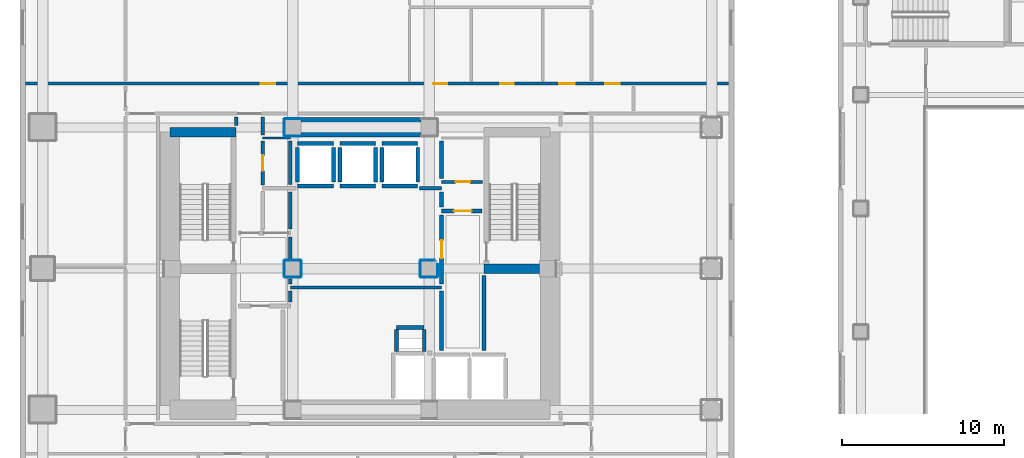
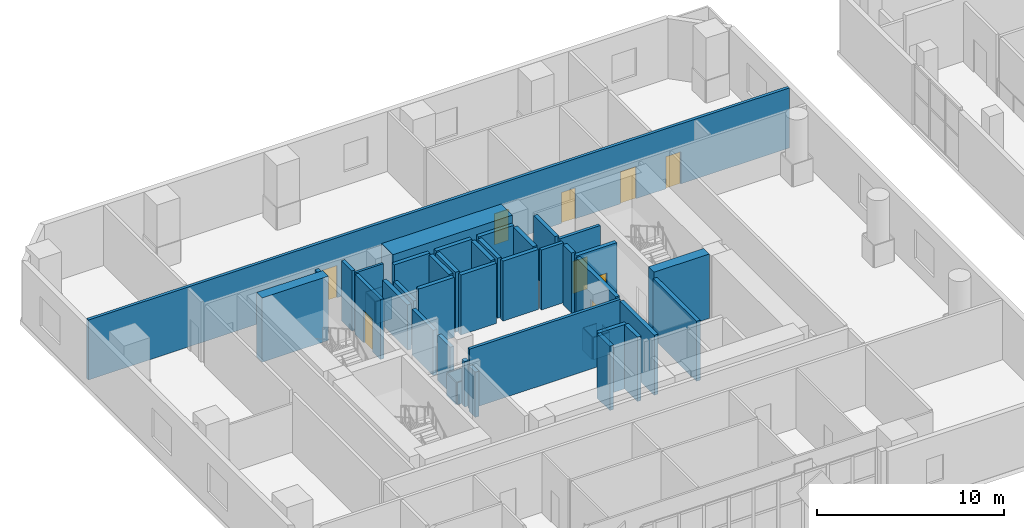
# One storey, part 13 of 20: 48 walls, 9 doors, 9 openings.
"""IFC4 building model written with IfcOpenShell, lengths in metres."""

from ifc_helpers import new_model, si_unit, direction, frame, frame_2d, origin, place, context, subcontext, project, spatial, rectangle, extrude, material, layer, layer_set, type_object, element, fill, save


model = new_model("IFC4")

# Units and contexts
model_context = context("Model", 3, precision=1e-05, world=origin(), true_north=direction((0.0, 1.0)))
body_context = subcontext(model_context, "Body", "Model", "MODEL_VIEW")
ifc_project = project(units=[si_unit("LENGTHUNIT", "METRE"), si_unit("AREAUNIT", "SQUARE_METRE"), si_unit("VOLUMEUNIT", "CUBIC_METRE"), si_unit("PLANEANGLEUNIT", "RADIAN"), si_unit("MASSUNIT", "GRAM", prefix="KILO")], contexts=[model_context])

# Site, building, storey
site_placement = place(None, origin())
site = spatial("IfcSite", under=ifc_project, at=site_placement, CompositionType="ELEMENT")
building_placement = place(site_placement, origin())
building = spatial("IfcBuilding", under=site, at=building_placement, Name="Solanera Arch Residences", CompositionType="ELEMENT")
storey_placement = place(building_placement, frame((0.0, 0.0, 9.39990234375)))
storey = spatial("IfcBuildingStorey", under=building, at=storey_placement, Name="L02", CompositionType="ELEMENT", Elevation=9.39990234375)

# Walls
ifc_material_1 = material(Name="Fire-Rated Gypsum Stud Partition", Category="gypsum")
ifc_layer_1 = layer(ifc_material_1, 0.06005859375)
ifc_layer_set_1 = layer_set([ifc_layer_1], Name="Fire-Rated Gypsum Stud Partition")
wall_type_1 = type_object("IfcWallType", Name="Column Acoustic Furring Wall 60", PredefinedType="PARTITIONING", material=ifc_layer_set_1)
for number, where, z_axis, x_axis, name in (
    (1, (20.300048828125, 38.867919921875, 0.0), (0.0, 0.0, 1.0), (1.0, 0.0, 0.0), "L02 Column Furring 3S"),
    (2, (20.300048828125, 39.931884765625, 0.0), (0.0, 0.0, 1.0), (1.0, 0.0, 0.0), "L02 Column Furring 3N"),
):
    element("IfcWall", number, at=place(storey_placement, frame(where, z_axis=z_axis, x_axis=x_axis)), inside=storey, type_object=wall_type_1, Name=name, PredefinedType="PARTITIONING", context=body_context, shape_type="SweptSolid", body=[
        extrude(rectangle(XDim=0.989990234375, YDim=0.06005859375, at=frame_2d((0.4951171875, 0.0))), origin(), (0.0, 0.0, 1.0), 1.4501953125),
    ])
for number, where, z_axis, x_axis, name in (
    (3, (20.26806640625, 38.89990234375, 0.0), (0.0, 0.0, 1.0), (0.0, 1.0, 0.0), "L02 Column Furring 3W"),
    (4, (20.300048828125, 30.16796875, 0.0), (0.0, 0.0, 1.0), (1.0, 0.0, 0.0), "L02 Column Furring 7S"),
    (5, (20.300048828125, 31.23193359375, 0.0), (0.0, 0.0, 1.0), (1.0, 0.0, 0.0), "L02 Column Furring 7N"),
    (6, (20.26806640625, 30.199951171875, 0.0), (0.0, 0.0, 1.0), (0.0, 1.0, 0.0), "L02 Column Furring 7W"),
    (7, (21.33203125, 30.199951171875, 0.0), (0.0, 0.0, 1.0), (0.0, 1.0, 0.0), "L02 Column Furring 7E"),
    (8, (28.699951171875, 30.16796875, 0.0), (0.0, 0.0, 1.0), (1.0, 0.0, 0.0), "L02 Column Furring 8S"),
):
    element("IfcWall", number, at=place(storey_placement, frame(where, z_axis=z_axis, x_axis=x_axis)), inside=storey, type_object=wall_type_1, Name=name, PredefinedType="PARTITIONING", context=body_context, shape_type="SweptSolid", body=[
        extrude(rectangle(XDim=1.0, YDim=0.06005859375, at=frame_2d((0.5, 0.0))), origin(), (0.0, 0.0, 1.0), 1.4501953125),
    ])
wall_1_placement = place(storey_placement, frame((28.699951171875, 31.23193359375, 0.0), z_axis=(0.0, 0.0, 1.0), x_axis=(1.0, 0.0, 0.0)))
element("IfcWall", 9, at=wall_1_placement, inside=storey, type_object=wall_type_1, Name="L02 Column Furring 8N", PredefinedType="PARTITIONING", context=body_context, shape_type="SweptSolid", body=[
    extrude(rectangle(XDim=0.841064453125, YDim=0.06005859375, at=frame_2d((0.42041015625, 0.0))), origin(), (0.0, 0.0, 1.0), 1.4501953125),
])
wall_2_placement = place(storey_placement, frame((28.66796875, 30.199951171875, 0.0), z_axis=(0.0, 0.0, 1.0), x_axis=(0.0, 1.0, 0.0)))
element("IfcWall", 10, at=wall_2_placement, inside=storey, type_object=wall_type_1, Name="L02 Column Furring 8W", PredefinedType="PARTITIONING", context=body_context, shape_type="SweptSolid", body=[
    extrude(rectangle(XDim=1.0, YDim=0.06005859375, at=frame_2d((0.5, 0.0))), origin(), (0.0, 0.0, 1.0), 1.4501953125),
])
wall_3_placement = place(storey_placement, frame((29.73193359375, 30.199951171875, 0.0), z_axis=(0.0, 0.0, 1.0), x_axis=(0.0, 1.0, 0.0)))
element("IfcWall", 11, at=wall_3_placement, inside=storey, type_object=wall_type_1, Name="L02 Column Furring 8E", PredefinedType="PARTITIONING", context=body_context, shape_type="SweptSolid", body=[
    extrude(rectangle(XDim=0.77197265625, YDim=0.06005859375, at=frame_2d((0.385986328125, 0.0))), origin(), (0.0, 0.0, 1.0), 1.4501953125),
])
ifc_material_2 = material(Name="Concrete C55/67 (f'c = 60 MPa)", Category="concrete")
ifc_layer_2 = layer(ifc_material_2, 1.199951171875)
ifc_layer_set_2 = layer_set([ifc_layer_2], Name="Concrete C55/67 (f'c = 60 MPa)")
wall_type_2 = type_object("IfcWallType", Name="Core Shear Wall CW-1200", PredefinedType="SHEAR", material=ifc_layer_set_2)
wall_4_placement = place(storey_placement, frame((21.304931640625, 39.39990234375, 0.0), z_axis=(0.0, 0.0, 1.0), x_axis=(1.0, 0.0, 0.0)))
element("IfcWall", 12, at=wall_4_placement, inside=storey, type_object=wall_type_2, Name="L02 Central North Core Shear Wall", PredefinedType="SHEAR", context=body_context, shape_type="SweptSolid", body=[
    extrude(rectangle(XDim=7.39013671875, YDim=1.199951171875, at=frame_2d((3.695068359375, 0.0))), origin(), (0.0, 0.0, 1.0), 4.2001953125),
])
ifc_material_3 = material(Name="Concrete C40/50 (f'c = 45 MPa)", Category="concrete")
ifc_layer_3 = layer(ifc_material_3, 0.60009765625)
ifc_layer_set_3 = layer_set([ifc_layer_3], Name="Concrete C40/50 (f'c = 45 MPa)")
wall_type_3 = type_object("IfcWallType", Name="Core Shear Wall CW-600", PredefinedType="SHEAR", material=ifc_layer_set_3)
wall_5_placement = place(storey_placement, frame((13.239990234375, 39.10009765625, 0.0), z_axis=(0.0, 0.0, 1.0), x_axis=(1.0, 0.0, 0.0)))
element("IfcWall", 13, at=wall_5_placement, inside=storey, type_object=wall_type_3, Name="L02 North-West Core Shear Wall", PredefinedType="SHEAR", context=body_context, shape_type="SweptSolid", body=[
    extrude(rectangle(XDim=4.080078125, YDim=0.60009765625, at=frame_2d((2.0400390625, 0.0))), origin(), (0.0, 0.0, 1.0), 4.2001953125),
])
wall_6_placement = place(storey_placement, frame((32.580078125, 30.699951171875, 0.0), z_axis=(0.0, 0.0, 1.0), x_axis=(1.0, 0.0, 0.0)))
element("IfcWall", 14, at=wall_6_placement, inside=storey, type_object=wall_type_3, Name="L02 East Stair Far-Landing Shear Wall", PredefinedType="SHEAR", context=body_context, shape_type="SweptSolid", body=[
    extrude(rectangle(XDim=3.4150390625, YDim=0.60009765625, at=frame_2d((1.70751953125, 0.0))), origin(), (0.0, 0.0, 1.0), 4.2001953125),
])
ifc_material_4 = material(Name="Autoclaved Aerated Concrete Blockwork", Category="masonry")
ifc_layer_4 = layer(ifc_material_4, 0.179931640625)
ifc_layer_set_4 = layer_set([ifc_layer_4], Name="Autoclaved Aerated Concrete Blockwork")
wall_type_4 = type_object("IfcWallType", Name="Corridor Fire Partition 180", PredefinedType="PARTITIONING", material=ifc_layer_set_4)
wall_7_placement = place(storey_placement, frame((20.64990234375, 29.550048828125, 0.0), z_axis=(0.0, 0.0, 1.0), x_axis=(1.0, 0.0, 0.0)))
element("IfcWall", 15, at=wall_7_placement, inside=storey, type_object=wall_type_4, Name="L02 Interior Partition H11", PredefinedType="PARTITIONING", context=body_context, shape_type="SweptSolid", body=[
    extrude(rectangle(XDim=9.3251953125, YDim=0.179931640625, at=frame_2d((4.66259765625, 0.0))), origin(), (0.0, 0.0, 1.0), 3.920166015625),
])

# Wall, opening, door
wall_8_placement = place(storey_placement, frame((29.97509765625, 36.050048828125, 0.0), z_axis=(0.0, 0.0, 1.0), x_axis=(1.0, 0.0, 0.0)))
wall_8 = element("IfcWall", 16, at=wall_8_placement, inside=storey, type_object=wall_type_4, Name="L02 Interior Partition H12", PredefinedType="PARTITIONING", context=body_context, shape_type="SweptSolid", body=[
    extrude(rectangle(XDim=2.5048828125, YDim=0.179931640625, at=frame_2d((1.25244140625, 0.0))), origin(), (0.0, 0.0, 1.0), 3.920166015625),
])
opening_1_placement = place(wall_8_placement, frame((0.85205078125, 0.0, 0.0)))
opening_1 = element("IfcOpeningElement", 17, at=opening_1_placement, cuts=wall_8, Name="Opening DI-02", PredefinedType="OPENING", context=body_context, shape_type="SweptSolid", body=[
    extrude(rectangle(XDim=0.89990234375, YDim=2.10009765625, at=frame_2d((0.449951171875, 1.050048828125))), frame((0.0, 0.10009765625, 0.0), z_axis=(0.0, -1.0, 0.0), x_axis=(1.0, 0.0, 0.0)), (0.0, 0.0, 1.0), 0.1999),
])
ifc_material_5 = material(Name="Fire-Rated Architectural Hardwood", Category="wood")
door_type_1 = type_object("IfcDoorType", Name="Suite Room Swing Door DI-02", OperationType="NOTDEFINED", PredefinedType="DOOR", material=ifc_material_5)
door_1_placement = place(opening_1_placement, origin())
door_1 = element("IfcDoor", 18, at=door_1_placement, inside=storey, type_object=door_type_1, Name="DR-L02-IN-024", OperationType="SINGLE_SWING_LEFT", OverallHeight=2.10009765625, OverallWidth=0.89990234375, PredefinedType="DOOR", context=body_context, shape_type="SweptSolid", body=[
    extrude(rectangle(XDim=0.89990234375, YDim=2.10009765625, at=frame_2d((0.449951171875, 1.050048828125))), frame((0.0, 0.02490234375, 0.0), z_axis=(0.0, -1.0, 0.0), x_axis=(1.0, 0.0, 0.0)), (0.0, 0.0, 1.0), 0.050048828125),
])
fill(opening_1, door_1)

# Wall, openings, doors
wall_9_placement = place(storey_placement, frame((4.35205078125, 42.10009765625, 0.0), z_axis=(0.0, 0.0, 1.0), x_axis=(1.0, 0.0, 0.0)))
wall_9 = element("IfcWall", 19, at=wall_9_placement, inside=storey, type_object=wall_type_4, Name="L02 Interior Partition H15", PredefinedType="PARTITIONING", context=body_context, shape_type="SweptSolid", body=[
    extrude(rectangle(XDim=43.2958984375, YDim=0.179931640625, at=frame_2d((21.64794921875, 0.0))), origin(), (0.0, 0.0, 1.0), 3.920166015625),
])
opening_2_placement = place(wall_9_placement, frame((14.471923828125, 0.0, 0.0)))
opening_2 = element("IfcOpeningElement", 20, at=opening_2_placement, cuts=wall_9, Name="Opening DI-02", PredefinedType="OPENING", context=body_context, shape_type="SweptSolid", body=[
    extrude(rectangle(XDim=0.89990234375, YDim=2.10009765625, at=frame_2d((0.449951171875, 1.050048828125))), frame((0.0, 0.10009765625, 0.0), z_axis=(0.0, -1.0, 0.0), x_axis=(1.0, 0.0, 0.0)), (0.0, 0.0, 1.0), 0.1999),
])
opening_3_placement = place(wall_9_placement, frame((25.117919921875, 0.0, 0.0)))
opening_3 = element("IfcOpeningElement", 21, at=opening_3_placement, cuts=wall_9, Name="Opening DI-05", PredefinedType="OPENING", context=body_context, shape_type="SweptSolid", body=[
    extrude(rectangle(XDim=0.860107421875, YDim=2.02001953125, at=frame_2d((0.43017578125, 1.010009765625))), frame((0.0, 0.10009765625, 0.0), z_axis=(0.0, -1.0, 0.0), x_axis=(1.0, 0.0, 0.0)), (0.0, 0.0, 1.0), 0.1999),
])
opening_4_placement = place(wall_9_placement, frame((29.218017578125, 0.0, 0.0)))
opening_4 = element("IfcOpeningElement", 22, at=opening_4_placement, cuts=wall_9, Name="Opening DI-05", PredefinedType="OPENING", context=body_context, shape_type="SweptSolid", body=[
    extrude(rectangle(XDim=0.860107421875, YDim=2.02001953125, at=frame_2d((0.43017578125, 1.010009765625))), frame((0.0, 0.10009765625, 0.0), z_axis=(0.0, -1.0, 0.0), x_axis=(1.0, 0.0, 0.0)), (0.0, 0.0, 1.0), 0.1999),
])
opening_5_placement = place(wall_9_placement, frame((32.873046875, 0.0, 0.0)))
opening_5 = element("IfcOpeningElement", 23, at=opening_5_placement, cuts=wall_9, Name="Opening DI-04", PredefinedType="OPENING", context=body_context, shape_type="SweptSolid", body=[
    extrude(rectangle(XDim=0.949951171875, YDim=2.10009765625, at=frame_2d((0.47509765625, 1.050048828125))), frame((0.0, 0.10009765625, 0.0), z_axis=(0.0, -1.0, 0.0), x_axis=(1.0, 0.0, 0.0)), (0.0, 0.0, 1.0), 0.1999),
])
opening_6_placement = place(wall_9_placement, frame((35.68798828125, 0.0, 0.0)))
opening_6 = element("IfcOpeningElement", 24, at=opening_6_placement, cuts=wall_9, Name="Opening DI-02", PredefinedType="OPENING", context=body_context, shape_type="SweptSolid", body=[
    extrude(rectangle(XDim=0.89990234375, YDim=2.10009765625, at=frame_2d((0.449951171875, 1.050048828125))), frame((0.0, 0.10009765625, 0.0), z_axis=(0.0, -1.0, 0.0), x_axis=(1.0, 0.0, 0.0)), (0.0, 0.0, 1.0), 0.1999),
])
ifc_material_6 = material(Name="Fire-Rated Architectural Hardwood", Category="wood")
door_type_2 = type_object("IfcDoorType", Name="Accessible Restroom Door DI-04", OperationType="NOTDEFINED", PredefinedType="DOOR", material=ifc_material_6)
door_2_placement = place(opening_5_placement, origin())
door_2 = element("IfcDoor", 25, at=door_2_placement, inside=storey, type_object=door_type_2, Name="DR-L02-IN-041", OperationType="SINGLE_SWING_RIGHT", OverallHeight=2.10009765625, OverallWidth=0.949951171875, PredefinedType="DOOR", context=body_context, shape_type="SweptSolid", body=[
    extrude(rectangle(XDim=0.949951171875, YDim=2.10009765625, at=frame_2d((0.47509765625, 1.050048828125))), frame((0.0, 0.02490234375, 0.0), z_axis=(0.0, -1.0, 0.0), x_axis=(1.0, 0.0, 0.0)), (0.0, 0.0, 1.0), 0.050048828125),
])
fill(opening_5, door_2)
ifc_material_7 = material(Name="Fire-Rated Architectural Hardwood", Category="wood")
door_type_3 = type_object("IfcDoorType", Name="Bathroom Swing Door DI-05", OperationType="NOTDEFINED", PredefinedType="DOOR", material=ifc_material_7)
door_3_placement = place(opening_3_placement, origin())
door_3 = element("IfcDoor", 26, at=door_3_placement, inside=storey, type_object=door_type_3, Name="DR-L02-IN-039", OperationType="SINGLE_SWING_RIGHT", OverallHeight=2.02001953125, OverallWidth=0.860107421875, PredefinedType="DOOR", context=body_context, shape_type="SweptSolid", body=[
    extrude(rectangle(XDim=0.860107421875, YDim=2.02001953125, at=frame_2d((0.43017578125, 1.010009765625))), frame((0.0, 0.02490234375, 0.0), z_axis=(0.0, -1.0, 0.0), x_axis=(1.0, 0.0, 0.0)), (0.0, 0.0, 1.0), 0.050048828125),
])
fill(opening_3, door_3)
door_4_placement = place(opening_4_placement, origin())
door_4 = element("IfcDoor", 27, at=door_4_placement, inside=storey, type_object=door_type_3, Name="DR-L02-IN-040", OperationType="SINGLE_SWING_LEFT", OverallHeight=2.02001953125, OverallWidth=0.860107421875, PredefinedType="DOOR", context=body_context, shape_type="SweptSolid", body=[
    extrude(rectangle(XDim=0.860107421875, YDim=2.02001953125, at=frame_2d((0.43017578125, 1.010009765625))), frame((0.0, 0.02490234375, 0.0), z_axis=(0.0, -1.0, 0.0), x_axis=(1.0, 0.0, 0.0)), (0.0, 0.0, 1.0), 0.050048828125),
])
fill(opening_4, door_4)
door_5_placement = place(opening_2_placement, origin())
door_5 = element("IfcDoor", 28, at=door_5_placement, inside=storey, type_object=door_type_1, Name="DR-L02-IN-028", OperationType="SINGLE_SWING_LEFT", OverallHeight=2.10009765625, OverallWidth=0.89990234375, PredefinedType="DOOR", context=body_context, shape_type="SweptSolid", body=[
    extrude(rectangle(XDim=0.89990234375, YDim=2.10009765625, at=frame_2d((0.449951171875, 1.050048828125))), frame((0.0, 0.02490234375, 0.0), z_axis=(0.0, -1.0, 0.0), x_axis=(1.0, 0.0, 0.0)), (0.0, 0.0, 1.0), 0.050048828125),
])
fill(opening_2, door_5)
door_6_placement = place(opening_6_placement, origin())
door_6 = element("IfcDoor", 29, at=door_6_placement, inside=storey, type_object=door_type_1, Name="DR-L02-IN-042", OperationType="SINGLE_SWING_LEFT", OverallHeight=2.10009765625, OverallWidth=0.89990234375, PredefinedType="DOOR", context=body_context, shape_type="SweptSolid", body=[
    extrude(rectangle(XDim=0.89990234375, YDim=2.10009765625, at=frame_2d((0.449951171875, 1.050048828125))), frame((0.0, 0.02490234375, 0.0), z_axis=(0.0, -1.0, 0.0), x_axis=(1.0, 0.0, 0.0)), (0.0, 0.0, 1.0), 0.050048828125),
])
fill(opening_6, door_6)

# Wall
ifc_material_8 = material(Name="Autoclaved Aerated Concrete Blockwork", Category="masonry")
ifc_layer_5 = layer(ifc_material_8, 0.199951171875)
ifc_layer_set_5 = layer_set([ifc_layer_5], Name="Autoclaved Aerated Concrete Blockwork")
wall_type_5 = type_object("IfcWallType", Name="Party Wall Acoustic 200", PredefinedType="PARTITIONING", material=ifc_layer_set_5)
wall_10_placement = place(storey_placement, frame((28.60400390625, 35.64990234375, 0.0), z_axis=(0.0, 0.0, 1.0), x_axis=(1.0, 0.0, 0.0)))
element("IfcWall", 30, at=wall_10_placement, inside=storey, type_object=wall_type_5, Name="L02 Interior Partition H6 2", PredefinedType="PARTITIONING", context=body_context, shape_type="SweptSolid", body=[
    extrude(rectangle(XDim=1.37109375, YDim=0.199951171875, at=frame_2d((0.685546875, 0.0))), origin(), (0.0, 0.0, 1.0), 3.920166015625),
])

# Wall, opening, door
wall_11_placement = place(storey_placement, frame((18.949951171875, 35.85791015625, 0.0), z_axis=(0.0, 0.0, 1.0), x_axis=(0.0, 1.0, 0.0)))
wall_11 = element("IfcWall", 31, at=wall_11_placement, inside=storey, type_object=wall_type_5, Name="L02 Interior Partition V6 2", PredefinedType="PARTITIONING", context=body_context, shape_type="SweptSolid", body=[
    extrude(rectangle(XDim=2.714111328125, YDim=0.199951171875, at=frame_2d((1.35693359375, 0.0))), origin(), (0.0, 0.0, 1.0), 3.920166015625),
])
opening_7_placement = place(wall_11_placement, frame((0.866943359375, 0.0, 0.0)))
opening_7 = element("IfcOpeningElement", 32, at=opening_7_placement, cuts=wall_11, Name="Opening DI-04", PredefinedType="OPENING", context=body_context, shape_type="SweptSolid", body=[
    extrude(rectangle(XDim=0.949951171875, YDim=2.10009765625, at=frame_2d((0.47509765625, 1.050048828125))), frame((0.0, 0.110107421875, 0.0), z_axis=(0.0, -1.0, 0.0), x_axis=(1.0, 0.0, 0.0)), (0.0, 0.0, 1.0), 0.22),
])
door_7_placement = place(opening_7_placement, origin())
door_7 = element("IfcDoor", 33, at=door_7_placement, inside=storey, type_object=door_type_2, Name="DR-L02-IN-025", OperationType="SINGLE_SWING_RIGHT", OverallHeight=2.10009765625, OverallWidth=0.949951171875, PredefinedType="DOOR", context=body_context, shape_type="SweptSolid", body=[
    extrude(rectangle(XDim=0.949951171875, YDim=2.10009765625, at=frame_2d((0.47509765625, 1.050048828125))), frame((0.0, 0.02490234375, 0.0), z_axis=(0.0, -1.0, 0.0), x_axis=(1.0, 0.0, 0.0)), (0.0, 0.0, 1.0), 0.050048828125),
])
fill(opening_7, door_7)

# Walls
wall_12_placement = place(storey_placement, frame((18.949951171875, 38.927978515625, 0.0), z_axis=(0.0, 0.0, 1.0), x_axis=(0.0, 1.0, 0.0)))
element("IfcWall", 34, at=wall_12_placement, inside=storey, type_object=wall_type_5, Name="L02 Interior Partition V6 3", PredefinedType="PARTITIONING", context=body_context, shape_type="SweptSolid", body=[
    extrude(rectangle(XDim=1.1240234375, YDim=0.199951171875, at=frame_2d((0.56201171875, 0.0))), origin(), (0.0, 0.0, 1.0), 3.920166015625),
])
ifc_material_9 = material(Name="Concrete C40/50 (f'c = 45 MPa)", Category="concrete")
ifc_layer_6 = layer(ifc_material_9, 0.239990234375)
ifc_layer_set_6 = layer_set([ifc_layer_6], Name="Concrete C40/50 (f'c = 45 MPa)")
wall_type_6 = type_object("IfcWallType", Name="Ramp Bearing Shear Wall RW-240", PredefinedType="SHEAR", material=ifc_layer_set_6)
wall_13_placement = place(storey_placement, frame((27.199951171875, 27.080078125, 0.0), z_axis=(0.0, 0.0, 1.0), x_axis=(1.0, 0.0, 0.0)))
element("IfcWall", 35, at=wall_13_placement, inside=storey, type_object=wall_type_6, Name="L02 Core MEP Riser North Shaft Wall", PredefinedType="SHEAR", context=body_context, shape_type="SweptSolid", body=[
    extrude(rectangle(XDim=1.699951171875, YDim=0.239990234375, at=frame_2d((0.85009765625, 0.0))), origin(), (0.0, 0.0, 1.0), 4.2001953125),
])
for number, where, z_axis, x_axis, name in (
    (36, (27.199951171875, 25.60009765625, 0.0), (0.0, 0.0, 1.0), (0.0, 1.0, 0.0), "L02 Core MEP Riser West Shaft Wall"),
    (37, (28.89990234375, 25.60009765625, 0.0), (0.0, 0.0, 1.0), (0.0, 1.0, 0.0), "L02 Core MEP Riser East Shaft Wall"),
):
    element("IfcWall", number, at=place(storey_placement, frame(where, z_axis=z_axis, x_axis=x_axis)), inside=storey, type_object=wall_type_6, Name=name, PredefinedType="SHEAR", context=body_context, shape_type="SweptSolid", body=[
        extrude(rectangle(XDim=1.35986328125, YDim=0.239990234375, at=frame_2d((0.679931640625, 0.0))), origin(), (0.0, 0.0, 1.0), 4.2001953125),
    ])
ifc_material_10 = material(Name="Autoclaved Aerated Concrete Blockwork", Category="masonry")
ifc_layer_7 = layer(ifc_material_10, 0.239990234375)
ifc_layer_set_7 = layer_set([ifc_layer_7], Name="Autoclaved Aerated Concrete Blockwork")
wall_type_7 = type_object("IfcWallType", Name="Shaft Wall Fire-Rated 240", PredefinedType="PARTITIONING", material=ifc_layer_set_7)
for number, where, z_axis, x_axis, name in (
    (38, (21.10009765625, 35.800048828125, 0.0), (0.0, 0.0, 1.0), (1.0, 0.0, 0.0), "L02 Lift PL-L1 Hoistway Wall S"),
    (39, (21.10009765625, 38.39990234375, 0.0), (0.0, 0.0, 1.0), (1.0, 0.0, 0.0), "L02 Lift PL-L1 Hoistway Wall N"),
):
    element("IfcWall", number, at=place(storey_placement, frame(where, z_axis=z_axis, x_axis=x_axis)), inside=storey, type_object=wall_type_7, Name=name, PredefinedType="PARTITIONING", context=body_context, shape_type="SweptSolid", body=[
        extrude(rectangle(XDim=2.199951171875, YDim=0.239990234375, at=frame_2d((1.10009765625, 0.0))), origin(), (0.0, 0.0, 1.0), 3.920166015625),
    ])
wall_14_placement = place(storey_placement, frame((21.10009765625, 36.048095703125, 0.0), z_axis=(0.0, 0.0, 1.0), x_axis=(0.0, 1.0, 0.0)))
element("IfcWall", 40, at=wall_14_placement, inside=storey, type_object=wall_type_7, Name="L02 Lift PL-L1 Hoistway Wall W", PredefinedType="PARTITIONING", context=body_context, shape_type="SweptSolid", body=[
    extrude(rectangle(XDim=2.10400390625, YDim=0.239990234375, at=frame_2d((1.052001953125, 0.0))), origin(), (0.0, 0.0, 1.0), 2.955078125),
])
wall_15_placement = place(storey_placement, frame((23.300048828125, 36.048095703125, 0.0), z_axis=(0.0, 0.0, 1.0), x_axis=(0.0, 1.0, 0.0)))
element("IfcWall", 41, at=wall_15_placement, inside=storey, type_object=wall_type_7, Name="L02 Lift PL-L1 Hoistway Wall E", PredefinedType="PARTITIONING", context=body_context, shape_type="SweptSolid", body=[
    extrude(rectangle(XDim=2.10400390625, YDim=0.239990234375, at=frame_2d((1.052001953125, 0.0))), origin(), (0.0, 0.0, 1.0), 3.920166015625),
])
for number, where, z_axis, x_axis, name in (
    (42, (23.699951171875, 35.800048828125, 0.0), (0.0, 0.0, 1.0), (1.0, 0.0, 0.0), "L02 Lift PL-L2 Hoistway Wall S"),
    (43, (23.699951171875, 38.39990234375, 0.0), (0.0, 0.0, 1.0), (1.0, 0.0, 0.0), "L02 Lift PL-L2 Hoistway Wall N"),
):
    element("IfcWall", number, at=place(storey_placement, frame(where, z_axis=z_axis, x_axis=x_axis)), inside=storey, type_object=wall_type_7, Name=name, PredefinedType="PARTITIONING", context=body_context, shape_type="SweptSolid", body=[
        extrude(rectangle(XDim=2.199951171875, YDim=0.239990234375, at=frame_2d((1.10009765625, 0.0))), origin(), (0.0, 0.0, 1.0), 3.920166015625),
    ])
for number, where, z_axis, x_axis, name in (
    (44, (23.699951171875, 36.048095703125, 0.0), (0.0, 0.0, 1.0), (0.0, 1.0, 0.0), "L02 Lift PL-L2 Hoistway Wall W"),
    (45, (25.89990234375, 36.048095703125, 0.0), (0.0, 0.0, 1.0), (0.0, 1.0, 0.0), "L02 Lift PL-L2 Hoistway Wall E"),
):
    element("IfcWall", number, at=place(storey_placement, frame(where, z_axis=z_axis, x_axis=x_axis)), inside=storey, type_object=wall_type_7, Name=name, PredefinedType="PARTITIONING", context=body_context, shape_type="SweptSolid", body=[
        extrude(rectangle(XDim=2.10400390625, YDim=0.239990234375, at=frame_2d((1.052001953125, 0.0))), origin(), (0.0, 0.0, 1.0), 3.920166015625),
    ])
for number, where, z_axis, x_axis, name in (
    (46, (26.300048828125, 35.800048828125, 0.0), (0.0, 0.0, 1.0), (1.0, 0.0, 0.0), "L02 Lift PL-L3 Hoistway Wall S"),
    (47, (26.300048828125, 38.39990234375, 0.0), (0.0, 0.0, 1.0), (1.0, 0.0, 0.0), "L02 Lift PL-L3 Hoistway Wall N"),
):
    element("IfcWall", number, at=place(storey_placement, frame(where, z_axis=z_axis, x_axis=x_axis)), inside=storey, type_object=wall_type_7, Name=name, PredefinedType="PARTITIONING", context=body_context, shape_type="SweptSolid", body=[
        extrude(rectangle(XDim=2.199951171875, YDim=0.239990234375, at=frame_2d((1.10009765625, 0.0))), origin(), (0.0, 0.0, 1.0), 3.920166015625),
    ])
for number, where, z_axis, x_axis, name in (
    (48, (26.300048828125, 36.048095703125, 0.0), (0.0, 0.0, 1.0), (0.0, 1.0, 0.0), "L02 Lift PL-L3 Hoistway Wall W"),
    (49, (28.5, 36.048095703125, 0.0), (0.0, 0.0, 1.0), (0.0, 1.0, 0.0), "L02 Lift PL-L3 Hoistway Wall E"),
):
    element("IfcWall", number, at=place(storey_placement, frame(where, z_axis=z_axis, x_axis=x_axis)), inside=storey, type_object=wall_type_7, Name=name, PredefinedType="PARTITIONING", context=body_context, shape_type="SweptSolid", body=[
        extrude(rectangle(XDim=2.10400390625, YDim=0.239990234375, at=frame_2d((1.052001953125, 0.0))), origin(), (0.0, 0.0, 1.0), 3.920166015625),
    ])

# Wall, opening, door
wall_16_placement = place(storey_placement, frame((29.97509765625, 34.25, 0.0), z_axis=(0.0, 0.0, 1.0), x_axis=(1.0, 0.0, 0.0)))
wall_16 = element("IfcWall", 50, at=wall_16_placement, inside=storey, type_object=wall_type_7, Name="L02 Interior Partition H5", PredefinedType="PARTITIONING", context=body_context, shape_type="SweptSolid", body=[
    extrude(rectangle(XDim=2.474853515625, YDim=0.239990234375, at=frame_2d((1.2373046875, 0.0))), origin(), (0.0, 0.0, 1.0), 3.920166015625),
])
opening_8_placement = place(wall_16_placement, frame((0.751953125, 0.0, 0.0)))
opening_8 = element("IfcOpeningElement", 51, at=opening_8_placement, cuts=wall_16, Name="Opening DF-02", PredefinedType="OPENING", context=body_context, shape_type="SweptSolid", body=[
    extrude(rectangle(XDim=1.10009765625, YDim=2.14990234375, at=frame_2d((0.550048828125, 1.074951171875))), frame((0.0, 0.1298828125, 0.0), z_axis=(0.0, -1.0, 0.0), x_axis=(1.0, 0.0, 0.0)), (0.0, 0.0, 1.0), 0.26),
])
ifc_material_11 = material(Name="Fire-Rated Architectural Hardwood", Category="wood")
door_type_4 = type_object("IfcDoorType", Name="Firefighting Lobby Fire Door DF-02", OperationType="NOTDEFINED", PredefinedType="DOOR", material=ifc_material_11)
door_8_placement = place(opening_8_placement, origin())
door_8 = element("IfcDoor", 52, at=door_8_placement, inside=storey, type_object=door_type_4, Name="DR-L02-IN-011", OperationType="SINGLE_SWING_RIGHT", OverallHeight=2.14990234375, OverallWidth=1.10009765625, PredefinedType="DOOR", context=body_context, shape_type="SweptSolid", body=[
    extrude(rectangle(XDim=1.10009765625, YDim=2.14990234375, at=frame_2d((0.550048828125, 1.074951171875))), frame((0.0, 0.02490234375, 0.0), z_axis=(0.0, -1.0, 0.0), x_axis=(1.0, 0.0, 0.0)), (0.0, 0.0, 1.0), 0.050048828125),
])
fill(opening_8, door_8)

# Walls
wall_17_placement = place(storey_placement, frame((17.320068359375, 39.530029296875, 0.0), z_axis=(0.0, 0.0, 1.0), x_axis=(0.0, 1.0, 0.0)))
element("IfcWall", 53, at=wall_17_placement, inside=storey, type_object=wall_type_7, Name="L02 Interior Partition V1", PredefinedType="PARTITIONING", context=body_context, shape_type="SweptSolid", body=[
    extrude(rectangle(XDim=0.501953125, YDim=0.239990234375, at=frame_2d((0.2509765625, 0.0))), origin(), (0.0, 0.0, 1.0), 3.920166015625),
])
wall_18_placement = place(storey_placement, frame((20.64990234375, 28.64794921875, 0.0), z_axis=(0.0, 0.0, 1.0), x_axis=(0.0, 1.0, 0.0)))
element("IfcWall", 54, at=wall_18_placement, inside=storey, type_object=wall_type_7, Name="L02 Interior Partition V3 1", PredefinedType="PARTITIONING", context=body_context, shape_type="SweptSolid", body=[
    extrude(rectangle(XDim=0.68408203125, YDim=0.239990234375, at=frame_2d((0.342041015625, 0.0))), origin(), (0.0, 0.0, 1.0), 2.955078125),
])
wall_19_placement = place(storey_placement, frame((20.64990234375, 29.76806640625, 0.0), z_axis=(0.0, 0.0, 1.0), x_axis=(0.0, 1.0, 0.0)))
element("IfcWall", 55, at=wall_19_placement, inside=storey, type_object=wall_type_7, Name="L02 Interior Partition V3 2", PredefinedType="PARTITIONING", context=body_context, shape_type="SweptSolid", body=[
    extrude(rectangle(XDim=0.300048828125, YDim=0.239990234375, at=frame_2d((0.14990234375, 0.0))), origin(), (0.0, 0.0, 1.0), 2.955078125),
])
wall_20_placement = place(storey_placement, frame((20.64990234375, 31.33203125, 0.0), z_axis=(0.0, 0.0, 1.0), x_axis=(0.0, 1.0, 0.0)))
element("IfcWall", 56, at=wall_20_placement, inside=storey, type_object=wall_type_7, Name="L02 Interior Partition V3 3", PredefinedType="PARTITIONING", context=body_context, shape_type="SweptSolid", body=[
    extrude(rectangle(XDim=1.320068359375, YDim=0.239990234375, at=frame_2d((0.66015625, 0.0))), origin(), (0.0, 0.0, 1.0), 2.955078125),
])
wall_21_placement = place(storey_placement, frame((20.64990234375, 33.14794921875, 0.0), z_axis=(0.0, 0.0, 1.0), x_axis=(0.0, 1.0, 0.0)))
element("IfcWall", 57, at=wall_21_placement, inside=storey, type_object=wall_type_7, Name="L02 Interior Partition V3 4", PredefinedType="PARTITIONING", context=body_context, shape_type="SweptSolid", body=[
    extrude(rectangle(XDim=2.274169921875, YDim=0.239990234375, at=frame_2d((1.13720703125, 0.0))), origin(), (0.0, 0.0, 1.0), 2.955078125),
])
wall_22_placement = place(storey_placement, frame((20.64990234375, 35.8779296875, 0.0), z_axis=(0.0, 0.0, 1.0), x_axis=(0.0, 1.0, 0.0)))
element("IfcWall", 58, at=wall_22_placement, inside=storey, type_object=wall_type_7, Name="L02 Interior Partition V3 5", PredefinedType="PARTITIONING", context=body_context, shape_type="SweptSolid", body=[
    extrude(rectangle(XDim=2.674072265625, YDim=0.239990234375, at=frame_2d((1.3369140625, 0.0))), origin(), (0.0, 0.0, 1.0), 2.955078125),
])
wall_23_placement = place(storey_placement, frame((29.97509765625, 25.64794921875, 0.0), z_axis=(0.0, 0.0, 1.0), x_axis=(0.0, 1.0, 0.0)))
element("IfcWall", 59, at=wall_23_placement, inside=storey, type_object=wall_type_7, Name="L02 Interior Partition V4 1", PredefinedType="PARTITIONING", context=body_context, shape_type="SweptSolid", body=[
    extrude(rectangle(XDim=3.68408203125, YDim=0.239990234375, at=frame_2d((1.842041015625, 0.0))), origin(), (0.0, 0.0, 1.0), 3.920166015625),
])

# Wall, opening, door
wall_24_placement = place(storey_placement, frame((29.97509765625, 29.76806640625, 0.0), z_axis=(0.0, 0.0, 1.0), x_axis=(0.0, 1.0, 0.0)))
wall_24 = element("IfcWall", 60, at=wall_24_placement, inside=storey, type_object=wall_type_7, Name="L02 Interior Partition V4 2", PredefinedType="PARTITIONING", context=body_context, shape_type="SweptSolid", body=[
    extrude(rectangle(XDim=4.23388671875, YDim=0.239990234375, at=frame_2d((2.116943359375, 0.0))), origin(), (0.0, 0.0, 1.0), 3.920166015625),
])
opening_9_placement = place(wall_24_placement, frame((1.58203125, 0.0, 0.0)))
opening_9 = element("IfcOpeningElement", 61, at=opening_9_placement, cuts=wall_24, Name="Opening DF-02", PredefinedType="OPENING", context=body_context, shape_type="SweptSolid", body=[
    extrude(rectangle(XDim=1.10009765625, YDim=2.14990234375, at=frame_2d((0.550048828125, 1.074951171875))), frame((0.0, 0.1298828125, 0.0), z_axis=(0.0, -1.0, 0.0), x_axis=(1.0, 0.0, 0.0)), (0.0, 0.0, 1.0), 0.26),
])
door_9_placement = place(opening_9_placement, origin())
door_9 = element("IfcDoor", 62, at=door_9_placement, inside=storey, type_object=door_type_4, Name="DR-L02-IN-010", OperationType="SINGLE_SWING_LEFT", OverallHeight=2.14990234375, OverallWidth=1.10009765625, PredefinedType="DOOR", context=body_context, shape_type="SweptSolid", body=[
    extrude(rectangle(XDim=1.10009765625, YDim=2.14990234375, at=frame_2d((0.550048828125, 1.074951171875))), frame((0.0, 0.02490234375, 0.0), z_axis=(0.0, -1.0, 0.0), x_axis=(1.0, 0.0, 0.0)), (0.0, 0.0, 1.0), 0.050048828125),
])
fill(opening_9, door_9)

# Walls
wall_25_placement = place(storey_placement, frame((29.97509765625, 34.498046875, 0.0), z_axis=(0.0, 0.0, 1.0), x_axis=(0.0, 1.0, 0.0)))
element("IfcWall", 63, at=wall_25_placement, inside=storey, type_object=wall_type_7, Name="L02 Interior Partition V4 3", PredefinedType="PARTITIONING", context=body_context, shape_type="SweptSolid", body=[
    extrude(rectangle(XDim=0.924072265625, YDim=0.239990234375, at=frame_2d((0.4619140625, 0.0))), origin(), (0.0, 0.0, 1.0), 3.920166015625),
])
wall_26_placement = place(storey_placement, frame((29.97509765625, 36.26806640625, 0.0), z_axis=(0.0, 0.0, 1.0), x_axis=(0.0, 1.0, 0.0)))
element("IfcWall", 64, at=wall_26_placement, inside=storey, type_object=wall_type_7, Name="L02 Interior Partition V4 4", PredefinedType="PARTITIONING", context=body_context, shape_type="SweptSolid", body=[
    extrude(rectangle(XDim=2.283935546875, YDim=0.239990234375, at=frame_2d((1.14208984375, 0.0))), origin(), (0.0, 0.0, 1.0), 3.920166015625),
])
wall_27_placement = place(storey_placement, frame((32.580078125, 25.64794921875, 0.0), z_axis=(0.0, 0.0, 1.0), x_axis=(0.0, 1.0, 0.0)))
element("IfcWall", 65, at=wall_27_placement, inside=storey, type_object=wall_type_7, Name="L02 Interior Partition V5", PredefinedType="PARTITIONING", context=body_context, shape_type="SweptSolid", body=[
    extrude(rectangle(XDim=4.6220703125, YDim=0.239990234375, at=frame_2d((2.31103515625, 0.0))), origin(), (0.0, 0.0, 1.0), 3.920166015625),
])
ifc_material_12 = material(Name="Autoclaved Aerated Concrete Blockwork", Category="masonry")
ifc_layer_8 = layer(ifc_material_12, 0.139892578125)
ifc_layer_set_8 = layer_set([ifc_layer_8], Name="Autoclaved Aerated Concrete Blockwork")
wall_type_8 = type_object("IfcWallType", Name="Wet-Room Partition 140", PredefinedType="PARTITIONING", material=ifc_layer_set_8)
wall_28_placement = place(storey_placement, frame((18.949951171875, 38.75, 0.0), z_axis=(0.0, 0.0, 1.0), x_axis=(1.0, 0.0, 0.0)))
element("IfcWall", 66, at=wall_28_placement, inside=storey, type_object=wall_type_8, Name="L02 Interior Partition H19", PredefinedType="PARTITIONING", context=body_context, shape_type="SweptSolid", body=[
    extrude(rectangle(XDim=1.699951171875, YDim=0.139892578125, at=frame_2d((0.85009765625, 0.0))), origin(), (0.0, 0.0, 1.0), 3.920166015625),
])

save(model, "model.ifc")
